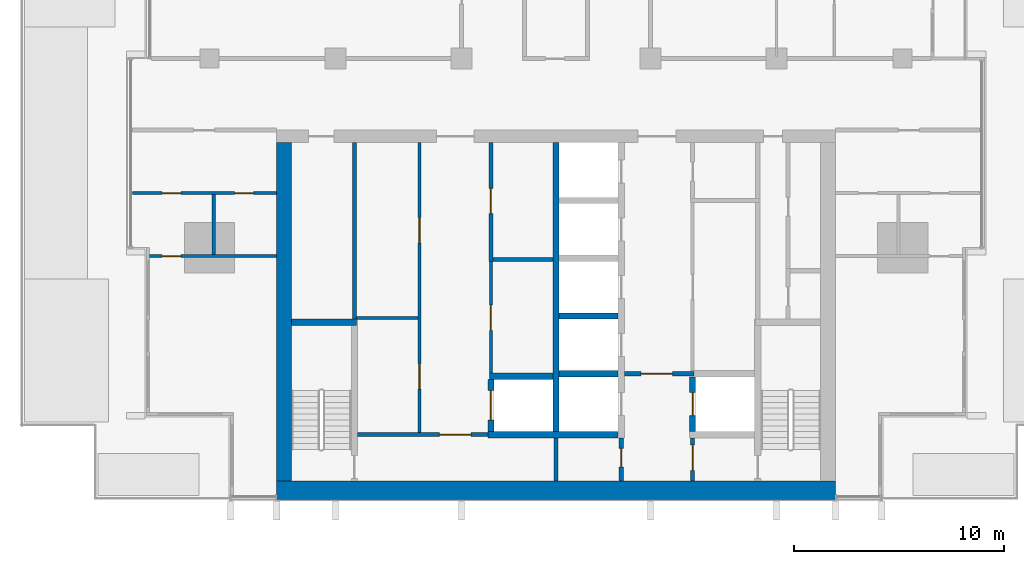
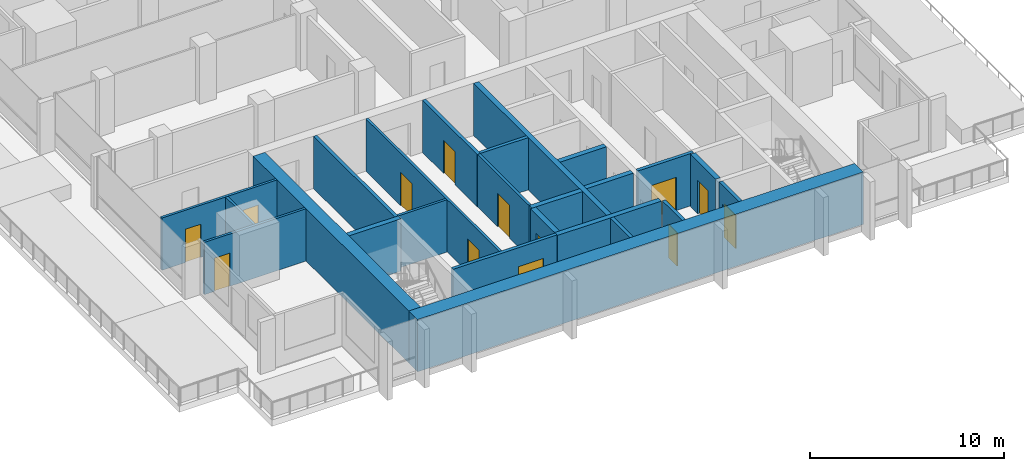
# One storey, part 7 of 18: 24 walls, 13 doors, 13 openings.
"""IFC4 building model written with IfcOpenShell, lengths in metres."""

from ifc_helpers import new_model, si_unit, direction, frame, frame_2d, origin, place, context, subcontext, project, spatial, rectangle, extrude, material, layer, layer_set, type_object, element, fill, save


model = new_model("IFC4")

# Units and contexts
model_context = context("Model", 3, precision=1e-05, world=origin(), true_north=direction((0.0, 1.0)))
body_context = subcontext(model_context, "Body", "Model", "MODEL_VIEW")
ifc_project = project(units=[si_unit("LENGTHUNIT", "METRE"), si_unit("AREAUNIT", "SQUARE_METRE"), si_unit("VOLUMEUNIT", "CUBIC_METRE"), si_unit("PLANEANGLEUNIT", "RADIAN"), si_unit("MASSUNIT", "GRAM", prefix="KILO")], contexts=[model_context])

# Site, building, storey
site_placement = place(None, origin())
site = spatial("IfcSite", under=ifc_project, at=site_placement, CompositionType="ELEMENT")
building_placement = place(site_placement, origin())
building = spatial("IfcBuilding", under=site, at=building_placement, Name="Finial Court Residences", CompositionType="ELEMENT")
storey_placement = place(building_placement, frame((0.0, 0.0, 149.300048828125)))
storey = spatial("IfcBuildingStorey", under=building, at=storey_placement, Name="L36", CompositionType="ELEMENT", Elevation=149.300048828125)

# Walls
ifc_material_1 = material(Name="Concrete C70/85", Category="concrete")
ifc_layer_1 = layer(ifc_material_1, 0.699951171875)
ifc_layer_set_1 = layer_set([ifc_layer_1], Name="Core outer wall 700 Concrete C70/85")
wall_type_1 = type_object("IfcWallType", Name="Core outer wall 700 Concrete C70/85", PredefinedType="SHEAR", material=ifc_layer_set_1)
wall_1_placement = place(storey_placement, frame((-12.949951171875, -24.60009765625, 0.0), z_axis=(0.0, 0.0, 1.0), x_axis=(0.0, 1.0, 0.0)))
element("IfcWall", 1, at=wall_1_placement, inside=storey, type_object=wall_type_1, Name="Core outer wall L36-03", PredefinedType="SHEAR", context=body_context, shape_type="SweptSolid", body=[
    extrude(rectangle(XDim=16.10009765625, YDim=0.699951171875, at=frame_2d((8.050048828125, 0.0))), origin(), (0.0, 0.0, 1.0), 3.300048828125),
])
ifc_material_2 = material(Name="Fire-rated gypsum board partition")
ifc_layer_2 = layer(ifc_material_2, 0.14990234375)
ifc_layer_set_2 = layer_set([ifc_layer_2], Name="Core room partition 150 EI 60")
wall_type_2 = type_object("IfcWallType", Name="Core room partition 150 EI 60", PredefinedType="PARTITIONING", material=ifc_layer_set_2)
wall_2_placement = place(storey_placement, frame((-9.5, -16.840087890625, 0.0), z_axis=(0.0, 0.0, 1.0), x_axis=(1.0, 0.0, 0.0)))
element("IfcWall", 2, at=wall_2_placement, inside=storey, type_object=wall_type_2, Name="Core partition L36-10", PredefinedType="PARTITIONING", context=body_context, shape_type="SweptSolid", body=[
    extrude(rectangle(XDim=2.925048828125, YDim=0.14990234375, at=frame_2d((1.46240234375, 0.0))), origin(), (0.0, 0.0, 1.0), 3.300048828125),
])

# Wall, openings, doors
wall_3_placement = place(storey_placement, frame((-6.5, -22.300048828125, 0.0), z_axis=(0.0, 0.0, 1.0), x_axis=(0.0, 1.0, 0.0)))
wall_3 = element("IfcWall", 3, at=wall_3_placement, inside=storey, type_object=wall_type_2, Name="Core partition L36-19", PredefinedType="PARTITIONING", context=body_context, shape_type="SweptSolid", body=[
    extrude(rectangle(XDim=13.800048828125, YDim=0.14990234375, at=frame_2d((6.89990234375, 0.0))), origin(), (0.0, 0.0, 1.0), 3.300048828125),
])
opening_1_placement = place(wall_3_placement, frame((2.080078125, 0.0, 0.0)))
opening_1 = element("IfcOpeningElement", 4, at=opening_1_placement, cuts=wall_3, Name="Opening L36-C13", PredefinedType="OPENING", context=body_context, shape_type="SweptSolid", body=[
    extrude(rectangle(XDim=1.199951171875, YDim=2.10009765625, at=frame_2d((0.60009765625, 1.050048828125))), frame((0.0, 0.0849609375, 0.0), z_axis=(0.0, -1.0, 0.0), x_axis=(1.0, 0.0, 0.0)), (0.0, 0.0, 1.0), 0.169921875),
])
opening_2_placement = place(wall_3_placement, frame((9.030029296875, 0.0, 0.0)))
opening_2 = element("IfcOpeningElement", 5, at=opening_2_placement, cuts=wall_3, Name="Opening L36-C14", PredefinedType="OPENING", context=body_context, shape_type="SweptSolid", body=[
    extrude(rectangle(XDim=1.199951171875, YDim=2.10009765625, at=frame_2d((0.60009765625, 1.050048828125))), frame((0.0, 0.0849609375, 0.0), z_axis=(0.0, -1.0, 0.0), x_axis=(1.0, 0.0, 0.0)), (0.0, 0.0, 1.0), 0.169921875),
])
ifc_material_3 = material(Name="Steel fire door", Category="steel")
door_type_1 = type_object("IfcDoorType", Name="Core room door 1200 x 2100 EI 60", OperationType="NOTDEFINED", PredefinedType="DOOR", material=ifc_material_3)
door_1_placement = place(opening_1_placement, origin())
door_1 = element("IfcDoor", 6, at=door_1_placement, inside=storey, type_object=door_type_1, Name="Core room door L36-C13", OperationType="SINGLE_SWING_LEFT", OverallHeight=2.10009765625, OverallWidth=1.199951171875, PredefinedType="DOOR", context=body_context, shape_type="SweptSolid", body=[
    extrude(rectangle(XDim=1.199951171875, YDim=2.10009765625, at=frame_2d((0.60009765625, 1.050048828125))), frame((0.0, 0.02490234375, 0.0), z_axis=(0.0, -1.0, 0.0), x_axis=(1.0, 0.0, 0.0)), (0.0, 0.0, 1.0), 0.050048828125),
])
fill(opening_1, door_1)
door_2_placement = place(opening_2_placement, origin())
door_2 = element("IfcDoor", 7, at=door_2_placement, inside=storey, type_object=door_type_1, Name="Core room door L36-C14", OperationType="SINGLE_SWING_LEFT", OverallHeight=2.10009765625, OverallWidth=1.199951171875, PredefinedType="DOOR", context=body_context, shape_type="SweptSolid", body=[
    extrude(rectangle(XDim=1.199951171875, YDim=2.10009765625, at=frame_2d((0.60009765625, 1.050048828125))), frame((0.0, 0.02490234375, 0.0), z_axis=(0.0, -1.0, 0.0), x_axis=(1.0, 0.0, 0.0)), (0.0, 0.0, 1.0), 0.050048828125),
])
fill(opening_2, door_2)

# Wall, opening, door
wall_4_placement = place(storey_placement, frame((-3.10009765625, -14.159912109375, 0.0), z_axis=(0.0, 0.0, 1.0), x_axis=(0.0, -1.0, 0.0)))
wall_4 = element("IfcWall", 8, at=wall_4_placement, inside=storey, type_object=wall_type_2, Name="Core partition L36-21", PredefinedType="PARTITIONING", context=body_context, shape_type="SweptSolid", body=[
    extrude(rectangle(XDim=5.31005859375, YDim=0.14990234375, at=frame_2d((2.655029296875, 0.0))), origin(), (0.0, 0.0, 1.0), 3.300048828125),
])
opening_3_placement = place(wall_4_placement, frame((2.080078125, 0.0, 0.0)))
opening_3 = element("IfcOpeningElement", 9, at=opening_3_placement, cuts=wall_4, Name="Opening L36-C15", PredefinedType="OPENING", context=body_context, shape_type="SweptSolid", body=[
    extrude(rectangle(XDim=1.199951171875, YDim=2.10009765625, at=frame_2d((0.60009765625, 1.050048828125))), frame((0.0, 0.0849609375, 0.0), z_axis=(0.0, -1.0, 0.0), x_axis=(1.0, 0.0, 0.0)), (0.0, 0.0, 1.0), 0.169921875),
])
door_3_placement = place(opening_3_placement, origin())
door_3 = element("IfcDoor", 10, at=door_3_placement, inside=storey, type_object=door_type_1, Name="Core room door L36-C15", OperationType="SINGLE_SWING_LEFT", OverallHeight=2.10009765625, OverallWidth=1.199951171875, PredefinedType="DOOR", context=body_context, shape_type="SweptSolid", body=[
    extrude(rectangle(XDim=1.199951171875, YDim=2.10009765625, at=frame_2d((0.60009765625, 1.050048828125))), frame((0.0, 0.02490234375, 0.0), z_axis=(0.0, -1.0, 0.0), x_axis=(1.0, 0.0, 0.0)), (0.0, 0.0, 1.0), 0.050048828125),
])
fill(opening_3, door_3)

# Wall
ifc_layer_3 = layer(ifc_material_1, 0.89990234375)
ifc_layer_set_3 = layer_set([ifc_layer_3], Name="Core south facade wall 900 Concrete C70/85")
wall_type_3 = type_object("IfcWallType", Name="Core south facade wall 900 Concrete C70/85", PredefinedType="SHEAR", material=ifc_layer_set_3)
wall_5_placement = place(storey_placement, frame((-13.300048828125, -25.050048828125, 0.0), z_axis=(0.0, 0.0, 1.0), x_axis=(1.0, 0.0, 0.0)))
element("IfcWall", 11, at=wall_5_placement, inside=storey, type_object=wall_type_3, Name="Core outer wall L36-01", PredefinedType="SHEAR", context=body_context, shape_type="SweptSolid", body=[
    extrude(rectangle(XDim=26.60009765625, YDim=0.89990234375, at=frame_2d((13.300048828125, 0.0))), origin(), (0.0, 0.0, 1.0), 3.300048828125),
])

# Wall, opening, door
ifc_layer_4 = layer(ifc_material_2, 0.199951171875)
ifc_layer_set_4 = layer_set([ifc_layer_4], Name="Firefighting lobby wall 200 EI 120")
wall_type_4 = type_object("IfcWallType", Name="Firefighting lobby wall 200 EI 120", PredefinedType="PARTITIONING", material=ifc_layer_set_4)
wall_6_placement = place(storey_placement, frame((6.574951171875, -19.5, 0.0), z_axis=(0.0, 0.0, 1.0), x_axis=(-1.0, 0.0, 0.0)))
wall_6 = element("IfcWall", 12, at=wall_6_placement, inside=storey, type_object=wall_type_4, Name="Core partition L36-06", PredefinedType="PARTITIONING", context=body_context, shape_type="SweptSolid", body=[
    extrude(rectangle(XDim=3.324951171875, YDim=0.199951171875, at=frame_2d((1.66259765625, 0.0))), origin(), (0.0, 0.0, 1.0), 3.300048828125),
])
opening_4_placement = place(wall_6_placement, frame((1.02490234375, 0.0, 0.0)))
opening_4 = element("IfcOpeningElement", 13, at=opening_4_placement, cuts=wall_6, Name="Opening L36-C02", PredefinedType="OPENING", context=body_context, shape_type="SweptSolid", body=[
    extrude(rectangle(XDim=1.5, YDim=2.10009765625, at=frame_2d((0.75, 1.050048828125))), frame((0.0, 0.10986328125, 0.0), z_axis=(0.0, -1.0, 0.0), x_axis=(1.0, 0.0, 0.0)), (0.0, 0.0, 1.0), 0.219970703125),
])
door_type_2 = type_object("IfcDoorType", Name="Firefighting lobby door 1500 x 2100 EI 90", OperationType="DOUBLE_DOOR_SINGLE_SWING", PredefinedType="DOOR", material=ifc_material_3)
door_4_placement = place(opening_4_placement, origin())
door_4 = element("IfcDoor", 14, at=door_4_placement, inside=storey, type_object=door_type_2, Name="Firefighting lobby door L36-C02", OperationType="DOUBLE_DOOR_SINGLE_SWING", OverallHeight=2.10009765625, OverallWidth=1.5, PredefinedType="DOOR", context=body_context, shape_type="SweptSolid", body=[
    extrude(rectangle(XDim=1.5, YDim=2.10009765625, at=frame_2d((0.75, 1.050048828125))), frame((0.0, 0.02490234375, 0.0), z_axis=(0.0, -1.0, 0.0), x_axis=(1.0, 0.0, 0.0)), (0.0, 0.0, 1.0), 0.050048828125),
])
fill(opening_4, door_4)

wall_7_placement = place(storey_placement, frame((3.10009765625, -24.60009765625, 0.0), z_axis=(0.0, 0.0, 1.0), x_axis=(0.0, 1.0, 0.0)))
wall_7 = element("IfcWall", 15, at=wall_7_placement, inside=storey, type_object=wall_type_4, Name="Core partition L36-25", PredefinedType="PARTITIONING", context=body_context, shape_type="SweptSolid", body=[
    extrude(rectangle(XDim=2.050048828125, YDim=0.199951171875, at=frame_2d((1.02490234375, 0.0))), origin(), (0.0, 0.0, 1.0), 3.300048828125),
])
opening_5_placement = place(wall_7_placement, frame((0.64990234375, 0.0, 0.0)))
opening_5 = element("IfcOpeningElement", 16, at=opening_5_placement, cuts=wall_7, Name="Opening L36-C06", PredefinedType="OPENING", context=body_context, shape_type="SweptSolid", body=[
    extrude(rectangle(XDim=0.89990234375, YDim=2.10009765625, at=frame_2d((0.449951171875, 1.050048828125))), frame((0.0, 0.10986328125, 0.0), z_axis=(0.0, -1.0, 0.0), x_axis=(1.0, 0.0, 0.0)), (0.0, 0.0, 1.0), 0.219970703125),
])
door_type_3 = type_object("IfcDoorType", Name="Riser room door 900 x 2100 EI 90", OperationType="NOTDEFINED", PredefinedType="DOOR", material=ifc_material_3)
door_5_placement = place(opening_5_placement, origin())
door_5 = element("IfcDoor", 17, at=door_5_placement, inside=storey, type_object=door_type_3, Name="Riser room door L36-C06", OperationType="SINGLE_SWING_LEFT", OverallHeight=2.10009765625, OverallWidth=0.89990234375, PredefinedType="DOOR", context=body_context, shape_type="SweptSolid", body=[
    extrude(rectangle(XDim=0.89990234375, YDim=2.10009765625, at=frame_2d((0.449951171875, 1.050048828125))), frame((0.0, 0.02490234375, 0.0), z_axis=(0.0, -1.0, 0.0), x_axis=(1.0, 0.0, 0.0)), (0.0, 0.0, 1.0), 0.050048828125),
])
fill(opening_5, door_5)

wall_8_placement = place(storey_placement, frame((6.5, -22.550048828125, 0.0), z_axis=(0.0, 0.0, 1.0), x_axis=(0.0, -1.0, 0.0)))
wall_8 = element("IfcWall", 18, at=wall_8_placement, inside=storey, type_object=wall_type_4, Name="Core partition L36-27", PredefinedType="PARTITIONING", context=body_context, shape_type="SweptSolid", body=[
    extrude(rectangle(XDim=2.050048828125, YDim=0.199951171875, at=frame_2d((1.02490234375, 0.0))), origin(), (0.0, 0.0, 1.0), 3.300048828125),
])
opening_6_placement = place(wall_8_placement, frame((0.35009765625, 0.0, 0.0)))
opening_6 = element("IfcOpeningElement", 19, at=opening_6_placement, cuts=wall_8, Name="Opening L36-C01", PredefinedType="OPENING", context=body_context, shape_type="SweptSolid", body=[
    extrude(rectangle(XDim=1.199951171875, YDim=2.10009765625, at=frame_2d((0.60009765625, 1.050048828125))), frame((0.0, 0.10986328125, 0.0), z_axis=(0.0, -1.0, 0.0), x_axis=(1.0, 0.0, 0.0)), (0.0, 0.0, 1.0), 0.219970703125),
])
door_type_4 = type_object("IfcDoorType", Name="Firefighting lobby door 1200 x 2100 EI 90", OperationType="NOTDEFINED", PredefinedType="DOOR", material=ifc_material_3)
door_6_placement = place(opening_6_placement, origin())
door_6 = element("IfcDoor", 20, at=door_6_placement, inside=storey, type_object=door_type_4, Name="Firefighting lobby door L36-C01", OperationType="SINGLE_SWING_RIGHT", OverallHeight=2.10009765625, OverallWidth=1.199951171875, PredefinedType="DOOR", context=body_context, shape_type="SweptSolid", body=[
    extrude(rectangle(XDim=1.199951171875, YDim=2.10009765625, at=frame_2d((0.60009765625, 1.050048828125))), frame((0.0, 0.02490234375, 0.0), z_axis=(0.0, -1.0, 0.0), x_axis=(1.0, 0.0, 0.0)), (0.0, 0.0, 1.0), 0.050048828125),
])
fill(opening_6, door_6)

ifc_material_4 = material(Name="Moisture-resistant gypsum board")
ifc_layer_5 = layer(ifc_material_4, 0.012451171875)
ifc_material_5 = material(Name="Mineral wool in light-gauge frame")
ifc_layer_6 = layer(ifc_material_5, 0.125)
ifc_layer_7 = layer(ifc_material_4, 0.012451171875)
ifc_layer_set_5 = layer_set([ifc_layer_5, ifc_layer_6, ifc_layer_7], Name="Gypsum board wet-area partition 150")
wall_type_5 = type_object("IfcWallType", Name="Gypsum board wet-area partition 150", PredefinedType="PARTITIONING", material=ifc_layer_set_5)
wall_9_placement = place(storey_placement, frame((-19.35009765625, -13.89990234375, 0.0), z_axis=(0.0, 0.0, 1.0), x_axis=(1.0, 0.0, 0.0)))
wall_9 = element("IfcWall", 21, at=wall_9_placement, inside=storey, type_object=wall_type_5, Name="Partition L36-000", PredefinedType="PARTITIONING", context=body_context, shape_type="SweptSolid", body=[
    extrude(rectangle(XDim=6.050048828125, YDim=0.14990234375, at=frame_2d((3.02490234375, 0.0))), origin(), (0.0, 0.0, 1.0), 3.300048828125),
])
opening_7_placement = place(wall_9_placement, frame((0.60009765625, 0.0, 0.0)))
opening_7 = element("IfcOpeningElement", 22, at=opening_7_placement, cuts=wall_9, Name="Opening L36-D001", PredefinedType="OPENING", context=body_context, shape_type="SweptSolid", body=[
    extrude(rectangle(XDim=0.89990234375, YDim=2.10009765625, at=frame_2d((0.449951171875, 1.050048828125))), frame((0.0, 0.0849609375, 0.0), z_axis=(0.0, -1.0, 0.0), x_axis=(1.0, 0.0, 0.0)), (0.0, 0.0, 1.0), 0.169921875),
])
ifc_material_6 = material(Name="Timber door leaf in timber frame", Category="wood")
door_type_5 = type_object("IfcDoorType", Name="Door set 900 x 2100", OperationType="SINGLE_SWING_LEFT", PredefinedType="DOOR", material=ifc_material_6)
door_7_placement = place(opening_7_placement, origin())
door_7 = element("IfcDoor", 23, at=door_7_placement, inside=storey, type_object=door_type_5, Name="Door L36-D001", OperationType="SINGLE_SWING_LEFT", OverallHeight=2.10009765625, OverallWidth=0.89990234375, PredefinedType="DOOR", context=body_context, shape_type="SweptSolid", body=[
    extrude(rectangle(XDim=0.89990234375, YDim=2.10009765625, at=frame_2d((0.449951171875, 1.050048828125))), frame((0.0, 0.02490234375, 0.0), z_axis=(0.0, -1.0, 0.0), x_axis=(1.0, 0.0, 0.0)), (0.0, 0.0, 1.0), 0.050048828125),
])
fill(opening_7, door_7)

# Wall, openings, doors
wall_10_placement = place(storey_placement, frame((-20.16259765625, -10.89990234375, 0.0), z_axis=(0.0, 0.0, 1.0), x_axis=(1.0, 0.0, 0.0)))
wall_10 = element("IfcWall", 24, at=wall_10_placement, inside=storey, type_object=wall_type_5, Name="Partition L36-002", PredefinedType="PARTITIONING", context=body_context, shape_type="SweptSolid", body=[
    extrude(rectangle(XDim=6.862548828125, YDim=0.14990234375, at=frame_2d((3.43115234375, 0.0))), origin(), (0.0, 0.0, 1.0), 3.300048828125),
])
opening_8_placement = place(wall_10_placement, frame((1.4130859375, 0.0, 0.0)))
opening_8 = element("IfcOpeningElement", 25, at=opening_8_placement, cuts=wall_10, Name="Opening L36-D003", PredefinedType="OPENING", context=body_context, shape_type="SweptSolid", body=[
    extrude(rectangle(XDim=0.89990234375, YDim=2.10009765625, at=frame_2d((0.449951171875, 1.050048828125))), frame((0.0, 0.0849609375, 0.0), z_axis=(0.0, -1.0, 0.0), x_axis=(1.0, 0.0, 0.0)), (0.0, 0.0, 1.0), 0.169921875),
])
opening_9_placement = place(wall_10_placement, frame((4.863037109375, 0.0, 0.0)))
opening_9 = element("IfcOpeningElement", 26, at=opening_9_placement, cuts=wall_10, Name="Opening L36-D004", PredefinedType="OPENING", context=body_context, shape_type="SweptSolid", body=[
    extrude(rectangle(XDim=0.89990234375, YDim=2.10009765625, at=frame_2d((0.449951171875, 1.050048828125))), frame((0.0, 0.0849609375, 0.0), z_axis=(0.0, -1.0, 0.0), x_axis=(1.0, 0.0, 0.0)), (0.0, 0.0, 1.0), 0.169921875),
])
door_8_placement = place(opening_8_placement, origin())
door_8 = element("IfcDoor", 27, at=door_8_placement, inside=storey, type_object=door_type_5, Name="Door L36-D003", OperationType="SINGLE_SWING_LEFT", OverallHeight=2.10009765625, OverallWidth=0.89990234375, PredefinedType="DOOR", context=body_context, shape_type="SweptSolid", body=[
    extrude(rectangle(XDim=0.89990234375, YDim=2.10009765625, at=frame_2d((0.449951171875, 1.050048828125))), frame((0.0, 0.02490234375, 0.0), z_axis=(0.0, -1.0, 0.0), x_axis=(1.0, 0.0, 0.0)), (0.0, 0.0, 1.0), 0.050048828125),
])
fill(opening_8, door_8)
door_9_placement = place(opening_9_placement, origin())
door_9 = element("IfcDoor", 28, at=door_9_placement, inside=storey, type_object=door_type_5, Name="Door L36-D004", OperationType="SINGLE_SWING_RIGHT", OverallHeight=2.10009765625, OverallWidth=0.89990234375, PredefinedType="DOOR", context=body_context, shape_type="SweptSolid", body=[
    extrude(rectangle(XDim=0.89990234375, YDim=2.10009765625, at=frame_2d((0.449951171875, 1.050048828125))), frame((0.0, 0.02490234375, 0.0), z_axis=(0.0, -1.0, 0.0), x_axis=(1.0, 0.0, 0.0)), (0.0, 0.0, 1.0), 0.050048828125),
])
fill(opening_9, door_9)

# Walls
wall_11_placement = place(storey_placement, frame((-16.300048828125, -13.824951171875, 0.0), z_axis=(0.0, 0.0, 1.0), x_axis=(0.0, 1.0, 0.0)))
element("IfcWall", 29, at=wall_11_placement, inside=storey, type_object=wall_type_5, Name="Partition L36-034", PredefinedType="PARTITIONING", context=body_context, shape_type="SweptSolid", body=[
    extrude(rectangle(XDim=2.849853515625, YDim=0.14990234375, at=frame_2d((1.4248046875, 0.0))), origin(), (0.0, 0.0, 1.0), 3.300048828125),
])
ifc_layer_8 = layer(ifc_material_1, 0.300048828125)
ifc_layer_set_6 = layer_set([ifc_layer_8], Name="Lift shaft and stair wall 300 Concrete C70/85")
wall_type_6 = type_object("IfcWallType", Name="Lift shaft and stair wall 300 Concrete C70/85", PredefinedType="SHEAR", material=ifc_layer_set_6)
wall_12_placement = place(storey_placement, frame((-3.25, -22.39990234375, 0.0), z_axis=(0.0, 0.0, 1.0), x_axis=(1.0, 0.0, 0.0)))
element("IfcWall", 30, at=wall_12_placement, inside=storey, type_object=wall_type_6, Name="Core wall L36-02", PredefinedType="SHEAR", context=body_context, shape_type="SweptSolid", body=[
    extrude(rectangle(XDim=6.199951171875, YDim=0.300048828125, at=frame_2d((3.10009765625, 0.0))), origin(), (0.0, 0.0, 1.0), 3.300048828125),
])
wall_13_placement = place(storey_placement, frame((-3.175048828125, -19.6201171875, 0.0), z_axis=(0.0, 0.0, 1.0), x_axis=(1.0, 0.0, 0.0)))
element("IfcWall", 31, at=wall_13_placement, inside=storey, type_object=wall_type_6, Name="Core wall L36-04", PredefinedType="SHEAR", context=body_context, shape_type="SweptSolid", body=[
    extrude(rectangle(XDim=3.025146484375, YDim=0.300048828125, at=frame_2d((1.5126953125, 0.0))), origin(), (0.0, 0.0, 1.0), 3.300048828125),
])
wall_14_placement = place(storey_placement, frame((0.14990234375, -19.5, 0.0), z_axis=(0.0, 0.0, 1.0), x_axis=(1.0, 0.0, 0.0)))
element("IfcWall", 32, at=wall_14_placement, inside=storey, type_object=wall_type_6, Name="Core wall L36-05", PredefinedType="SHEAR", context=body_context, shape_type="SweptSolid", body=[
    extrude(rectangle(XDim=2.800048828125, YDim=0.300048828125, at=frame_2d((1.39990234375, 0.0))), origin(), (0.0, 0.0, 1.0), 3.300048828125),
])
wall_15_placement = place(storey_placement, frame((-12.60009765625, -17.050048828125, 0.0), z_axis=(0.0, 0.0, 1.0), x_axis=(1.0, 0.0, 0.0)))
element("IfcWall", 33, at=wall_15_placement, inside=storey, type_object=wall_type_6, Name="Core wall L36-08", PredefinedType="SHEAR", context=body_context, shape_type="SweptSolid", body=[
    extrude(rectangle(XDim=3.10009765625, YDim=0.300048828125, at=frame_2d((1.550048828125, 0.0))), origin(), (0.0, 0.0, 1.0), 3.300048828125),
])
wall_16_placement = place(storey_placement, frame((0.14990234375, -16.75, 0.0), z_axis=(0.0, 0.0, 1.0), x_axis=(1.0, 0.0, 0.0)))
element("IfcWall", 34, at=wall_16_placement, inside=storey, type_object=wall_type_6, Name="Core wall L36-11", PredefinedType="SHEAR", context=body_context, shape_type="SweptSolid", body=[
    extrude(rectangle(XDim=2.800048828125, YDim=0.300048828125, at=frame_2d((1.39990234375, 0.0))), origin(), (0.0, 0.0, 1.0), 3.300048828125),
])

# Wall, opening, door
wall_17_placement = place(storey_placement, frame((-3.10009765625, -22.25, 0.0), z_axis=(0.0, 0.0, 1.0), x_axis=(0.0, 1.0, 0.0)))
wall_17 = element("IfcWall", 35, at=wall_17_placement, inside=storey, type_object=wall_type_6, Name="Core wall L36-20", PredefinedType="SHEAR", context=body_context, shape_type="SweptSolid", body=[
    extrude(rectangle(XDim=2.47998046875, YDim=0.300048828125, at=frame_2d((1.239990234375, 0.0))), origin(), (0.0, 0.0, 1.0), 3.300048828125),
])
opening_10_placement = place(wall_17_placement, frame((0.5400390625, 0.0, 0.0)))
opening_10 = element("IfcOpeningElement", 36, at=opening_10_placement, cuts=wall_17, Name="Opening L36-LD07", PredefinedType="OPENING", context=body_context, shape_type="SweptSolid", body=[
    extrude(rectangle(XDim=1.39990234375, YDim=2.10009765625, at=frame_2d((0.699951171875, 1.050048828125))), frame((0.0, 0.159912109375, 0.0), z_axis=(0.0, -1.0, 0.0), x_axis=(1.0, 0.0, 0.0)), (0.0, 0.0, 1.0), 0.320068359375),
])
ifc_material_7 = material(Name="Stainless steel lift door", Category="steel")
door_type_6 = type_object("IfcDoorType", Name="Lift landing door 1400 x 2100 EI 90", OperationType="DOUBLE_DOOR_SLIDING", PredefinedType="DOOR", material=ifc_material_7)
door_10_placement = place(opening_10_placement, origin())
door_10 = element("IfcDoor", 37, at=door_10_placement, inside=storey, type_object=door_type_6, Name="Lift landing door SV1 L36", OperationType="DOUBLE_DOOR_SLIDING", OverallHeight=2.10009765625, OverallWidth=1.39990234375, PredefinedType="DOOR", context=body_context, shape_type="SweptSolid", body=[
    extrude(rectangle(XDim=1.39990234375, YDim=2.10009765625, at=frame_2d((0.699951171875, 1.050048828125))), frame((0.0, 0.02490234375, 0.0), z_axis=(0.0, -1.0, 0.0), x_axis=(1.0, 0.0, 0.0)), (0.0, 0.0, 1.0), 0.050048828125),
])
fill(opening_10, door_10)

# Wall
wall_18_placement = place(storey_placement, frame((0.0, -22.25, 0.0), z_axis=(0.0, 0.0, 1.0), x_axis=(0.0, 1.0, 0.0)))
element("IfcWall", 38, at=wall_18_placement, inside=storey, type_object=wall_type_6, Name="Core wall L36-24", PredefinedType="SHEAR", context=body_context, shape_type="SweptSolid", body=[
    extrude(rectangle(XDim=13.75, YDim=0.300048828125, at=frame_2d((6.875, 0.0))), origin(), (0.0, 0.0, 1.0), 3.300048828125),
])

# Wall, opening, door
wall_19_placement = place(storey_placement, frame((6.5, -22.25, 0.0), z_axis=(0.0, 0.0, 1.0), x_axis=(0.0, 1.0, 0.0)))
wall_19 = element("IfcWall", 39, at=wall_19_placement, inside=storey, type_object=wall_type_6, Name="Core wall L36-28", PredefinedType="SHEAR", context=body_context, shape_type="SweptSolid", body=[
    extrude(rectangle(XDim=2.60009765625, YDim=0.300048828125, at=frame_2d((1.300048828125, 0.0))), origin(), (0.0, 0.0, 1.0), 3.300048828125),
])
opening_11_placement = place(wall_19_placement, frame((0.75, 0.0, 0.0)))
opening_11 = element("IfcOpeningElement", 40, at=opening_11_placement, cuts=wall_19, Name="Opening L36-LD02", PredefinedType="OPENING", context=body_context, shape_type="SweptSolid", body=[
    extrude(rectangle(XDim=1.10009765625, YDim=2.10009765625, at=frame_2d((0.550048828125, 1.050048828125))), frame((0.0, 0.159912109375, 0.0), z_axis=(0.0, -1.0, 0.0), x_axis=(1.0, 0.0, 0.0)), (0.0, 0.0, 1.0), 0.320068359375),
])
door_type_7 = type_object("IfcDoorType", Name="Lift landing door 1100 x 2100 EI 90", OperationType="DOUBLE_DOOR_SLIDING", PredefinedType="DOOR", material=ifc_material_7)
door_11_placement = place(opening_11_placement, origin())
door_11 = element("IfcDoor", 41, at=door_11_placement, inside=storey, type_object=door_type_7, Name="Lift landing door FF2 L36", OperationType="DOUBLE_DOOR_SLIDING", OverallHeight=2.10009765625, OverallWidth=1.10009765625, PredefinedType="DOOR", context=body_context, shape_type="SweptSolid", body=[
    extrude(rectangle(XDim=1.10009765625, YDim=2.10009765625, at=frame_2d((0.550048828125, 1.050048828125))), frame((0.0, 0.02490234375, 0.0), z_axis=(0.0, -1.0, 0.0), x_axis=(1.0, 0.0, 0.0)), (0.0, 0.0, 1.0), 0.050048828125),
])
fill(opening_11, door_11)

# Walls
ifc_layer_9 = layer(ifc_material_2, 0.199951171875)
ifc_layer_set_7 = layer_set([ifc_layer_9], Name="Riser room wall 200 EI 120")
wall_type_7 = type_object("IfcWallType", Name="Riser room wall 200 EI 120", PredefinedType="PARTITIONING", material=ifc_layer_set_7)
wall_20_placement = place(storey_placement, frame((-3.0, -14.06005859375, 0.0), z_axis=(0.0, 0.0, 1.0), x_axis=(1.0, 0.0, 0.0)))
element("IfcWall", 42, at=wall_20_placement, inside=storey, type_object=wall_type_7, Name="Core partition L36-13", PredefinedType="PARTITIONING", context=body_context, shape_type="SweptSolid", body=[
    extrude(rectangle(XDim=2.85009765625, YDim=0.199951171875, at=frame_2d((1.425048828125, 0.0))), origin(), (0.0, 0.0, 1.0), 3.300048828125),
])
wall_21_placement = place(storey_placement, frame((-9.60009765625, -16.89990234375, 0.0), z_axis=(0.0, 0.0, 1.0), x_axis=(0.0, 1.0, 0.0)))
element("IfcWall", 43, at=wall_21_placement, inside=storey, type_object=wall_type_7, Name="Core partition L36-18", PredefinedType="PARTITIONING", context=body_context, shape_type="SweptSolid", body=[
    extrude(rectangle(XDim=8.39990234375, YDim=0.199951171875, at=frame_2d((4.199951171875, 0.0))), origin(), (0.0, 0.0, 1.0), 3.300048828125),
])

# Wall, opening, door
wall_22_placement = place(storey_placement, frame((-3.10009765625, -8.5, 0.0), z_axis=(0.0, 0.0, 1.0), x_axis=(0.0, -1.0, 0.0)))
wall_22 = element("IfcWall", 44, at=wall_22_placement, inside=storey, type_object=wall_type_7, Name="Core partition L36-22", PredefinedType="PARTITIONING", context=body_context, shape_type="SweptSolid", body=[
    extrude(rectangle(XDim=5.659912109375, YDim=0.199951171875, at=frame_2d((2.830078125, 0.0))), origin(), (0.0, 0.0, 1.0), 3.300048828125),
])
opening_12_placement = place(wall_22_placement, frame((2.179931640625, 0.0, 0.0)))
opening_12 = element("IfcOpeningElement", 45, at=opening_12_placement, cuts=wall_22, Name="Opening L36-C08", PredefinedType="OPENING", context=body_context, shape_type="SweptSolid", body=[
    extrude(rectangle(XDim=1.199951171875, YDim=2.10009765625, at=frame_2d((0.60009765625, 1.050048828125))), frame((0.0, 0.10986328125, 0.0), z_axis=(0.0, -1.0, 0.0), x_axis=(1.0, 0.0, 0.0)), (0.0, 0.0, 1.0), 0.219970703125),
])
door_type_8 = type_object("IfcDoorType", Name="Riser room door 1200 x 2100 EI 90", OperationType="NOTDEFINED", PredefinedType="DOOR", material=ifc_material_3)
door_12_placement = place(opening_12_placement, origin())
door_12 = element("IfcDoor", 46, at=door_12_placement, inside=storey, type_object=door_type_8, Name="Riser room door L36-C08", OperationType="SINGLE_SWING_LEFT", OverallHeight=2.10009765625, OverallWidth=1.199951171875, PredefinedType="DOOR", context=body_context, shape_type="SweptSolid", body=[
    extrude(rectangle(XDim=1.199951171875, YDim=2.10009765625, at=frame_2d((0.60009765625, 1.050048828125))), frame((0.0, 0.02490234375, 0.0), z_axis=(0.0, -1.0, 0.0), x_axis=(1.0, 0.0, 0.0)), (0.0, 0.0, 1.0), 0.050048828125),
])
fill(opening_12, door_12)

# Wall
wall_23_placement = place(storey_placement, frame((0.0, -24.60009765625, 0.0), z_axis=(0.0, 0.0, 1.0), x_axis=(0.0, 1.0, 0.0)))
element("IfcWall", 47, at=wall_23_placement, inside=storey, type_object=wall_type_7, Name="Core partition L36-23", PredefinedType="PARTITIONING", context=body_context, shape_type="SweptSolid", body=[
    extrude(rectangle(XDim=2.050048828125, YDim=0.199951171875, at=frame_2d((1.02490234375, 0.0))), origin(), (0.0, 0.0, 1.0), 3.300048828125),
])

# Wall, opening, door
ifc_layer_10 = layer(ifc_material_2, 0.199951171875)
ifc_layer_set_8 = layer_set([ifc_layer_10], Name="Stair passage wall 200 EI 180")
wall_type_8 = type_object("IfcWallType", Name="Stair passage wall 200 EI 180", PredefinedType="PARTITIONING", material=ifc_layer_set_8)
wall_24_placement = place(storey_placement, frame((-3.25, -22.39990234375, 0.0), z_axis=(0.0, 0.0, 1.0), x_axis=(-1.0, 0.0, 0.0)))
wall_24 = element("IfcWall", 48, at=wall_24_placement, inside=storey, type_object=wall_type_8, Name="Core partition L36-01", PredefinedType="PARTITIONING", context=body_context, shape_type="SweptSolid", body=[
    extrude(rectangle(XDim=6.199951171875, YDim=0.199951171875, at=frame_2d((3.10009765625, 0.0))), origin(), (0.0, 0.0, 1.0), 3.300048828125),
])
opening_13_placement = place(wall_24_placement, frame((0.800048828125, 0.0, 0.0)))
opening_13 = element("IfcOpeningElement", 49, at=opening_13_placement, cuts=wall_24, Name="Opening L36-C03", PredefinedType="OPENING", context=body_context, shape_type="SweptSolid", body=[
    extrude(rectangle(XDim=1.5, YDim=2.10009765625, at=frame_2d((0.75, 1.050048828125))), frame((0.0, 0.10986328125, 0.0), z_axis=(0.0, -1.0, 0.0), x_axis=(1.0, 0.0, 0.0)), (0.0, 0.0, 1.0), 0.219970703125),
])
door_type_9 = type_object("IfcDoorType", Name="Lift lobby door 1500 x 2100 EI 60", OperationType="DOUBLE_DOOR_SINGLE_SWING", PredefinedType="DOOR", material=ifc_material_3)
door_13_placement = place(opening_13_placement, origin())
door_13 = element("IfcDoor", 50, at=door_13_placement, inside=storey, type_object=door_type_9, Name="Lift lobby door L36-C03", OperationType="DOUBLE_DOOR_SINGLE_SWING", OverallHeight=2.10009765625, OverallWidth=1.5, PredefinedType="DOOR", context=body_context, shape_type="SweptSolid", body=[
    extrude(rectangle(XDim=1.5, YDim=2.10009765625, at=frame_2d((0.75, 1.050048828125))), frame((0.0, 0.02490234375, 0.0), z_axis=(0.0, -1.0, 0.0), x_axis=(1.0, 0.0, 0.0)), (0.0, 0.0, 1.0), 0.050048828125),
])
fill(opening_13, door_13)

save(model, "model.ifc")
